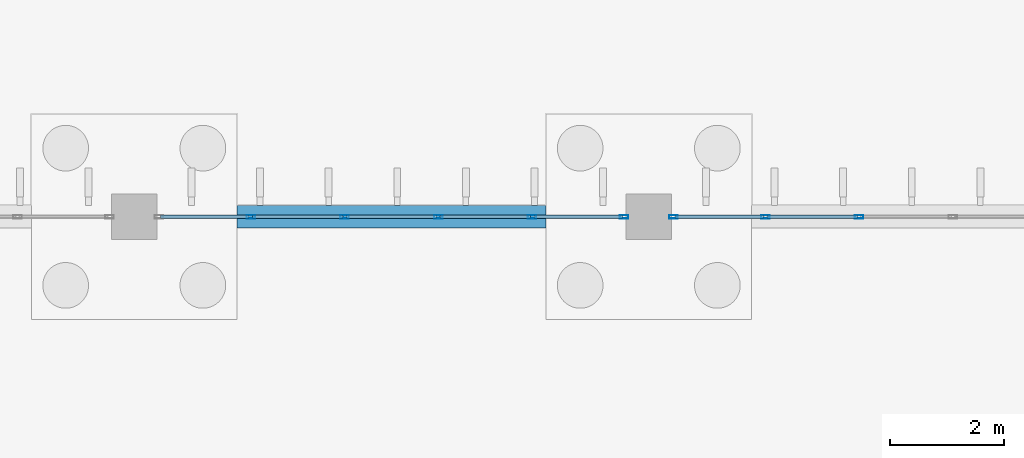
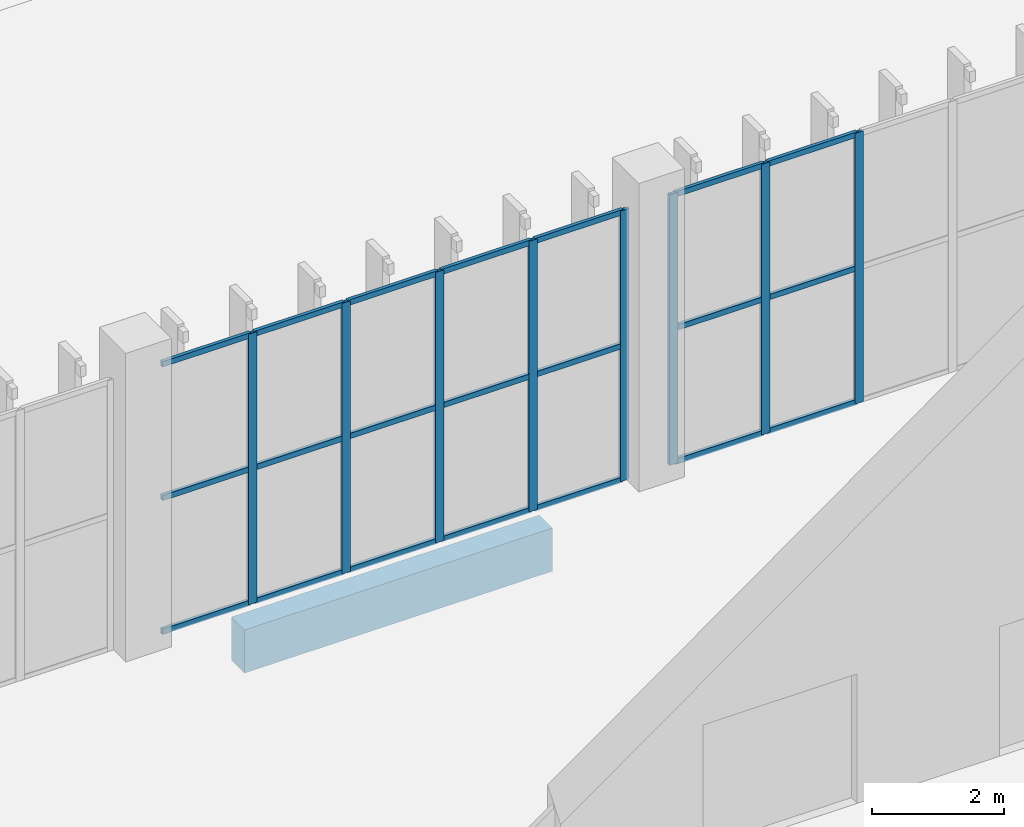
# One storey, part 55 of 198: 29 members, 1 beam, 2 elements without a shape of their own.
"""IFC4 building model written with IfcOpenShell, lengths in metres."""

from ifc_helpers import new_model, si_unit, direction, frame, origin, origin_2d, place, context, subcontext, project, spatial, rectangle, hollow_rectangle, extrude, material, layer, layer_set, material_profile, profile_set, type_object, element, aggregate, save


model = new_model("IFC4")

# Units and contexts
model_context = context("Model", 3, precision=1e-05, world=origin(), true_north=direction((0.0, 1.0)))
body_context = subcontext(model_context, "Body", "Model", "MODEL_VIEW")
ifc_project = project(units=[si_unit("LENGTHUNIT", "METRE"), si_unit("AREAUNIT", "SQUARE_METRE"), si_unit("VOLUMEUNIT", "CUBIC_METRE"), si_unit("PLANEANGLEUNIT", "RADIAN"), si_unit("MASSUNIT", "GRAM", prefix="KILO")], contexts=[model_context])

# Site, building, storey
site_placement = place(None, origin())
site = spatial("IfcSite", under=ifc_project, at=site_placement, CompositionType="ELEMENT")
building_placement = place(site_placement, origin())
building = spatial("IfcBuilding", under=site, at=building_placement, Name="Opaline Strait Convention Centre", CompositionType="ELEMENT")
storey_placement = place(building_placement, origin())
storey = spatial("IfcBuildingStorey", under=building, at=storey_placement, Name="L00", CompositionType="ELEMENT", Elevation=0.0)

# Curtain wall, members
ifc_material_1 = material(Name="Aluminium 6063-T5", Category="aluminium")
ifc_layer = layer(ifc_material_1, 0.199951171875)
ifc_layer_set = layer_set([ifc_layer], Name="Aluminium 6063-T5")
curtain_wall_type = type_object("IfcCurtainWallType", Name="Unitised curtain wall 1640 module", PredefinedType="NOTDEFINED", material=ifc_layer_set)
curtain_wall_1_placement = place(storey_placement, origin())
curtain_wall_1 = element("IfcCurtainWall", 1, at=curtain_wall_1_placement, inside=storey, type_object=curtain_wall_type, Name="Ballroom north curtain wall L00 bay 5", PredefinedType="NOTDEFINED")
ifc_material_2 = material(Name="Aluminium alloy 6063", Category="aluminium")
ifc_material_profile_1 = material_profile(ifc_material_2, hollow_rectangle(XDim=0.06005859375, YDim=0.14990234375, WallThickness=0.00390625, at=origin_2d()), Name="MULLION 60x150x4")
ifc_profile_set_1 = profile_set([ifc_material_profile_1], Name="Aluminium alloy 6063")
member_type_1 = type_object("IfcMemberType", Name="Curtain wall mullion 60 x 150", PredefinedType="MULLION", material=ifc_profile_set_1)
member_1_placement = place(storey_placement, frame((326.0400390625, 72.0, 0.0), z_axis=(0.0, 0.0, 1.0), x_axis=(0.0, 1.0, 0.0)))
member_1 = element("IfcMember", 2, at=member_1_placement, type_object=member_type_1, Name="BG2 mullion 2", PredefinedType="MULLION", context=body_context, shape_type="SweptSolid", body=[
    extrude(hollow_rectangle(XDim=0.06005859375, YDim=0.14990234375, WallThickness=0.00390625, at=origin_2d()), origin(), (0.0, 0.0, 1.0), 5.02001953125),
])
member_2_placement = place(storey_placement, frame((327.679931640625, 72.0, 0.0), z_axis=(0.0, 0.0, 1.0), x_axis=(0.0, 1.0, 0.0)))
member_2 = element("IfcMember", 3, at=member_2_placement, type_object=member_type_1, Name="BG2 mullion 3", PredefinedType="MULLION", context=body_context, shape_type="SweptSolid", body=[
    extrude(hollow_rectangle(XDim=0.06005859375, YDim=0.14990234375, WallThickness=0.00390625, at=origin_2d()), origin(), (0.0, 0.0, 1.0), 5.02001953125),
])
member_3_placement = place(storey_placement, frame((329.320068359375, 72.0, 0.0), z_axis=(0.0, 0.0, 1.0), x_axis=(0.0, 1.0, 0.0)))
member_3 = element("IfcMember", 4, at=member_3_placement, type_object=member_type_1, Name="BG2 mullion 4", PredefinedType="MULLION", context=body_context, shape_type="SweptSolid", body=[
    extrude(hollow_rectangle(XDim=0.06005859375, YDim=0.14990234375, WallThickness=0.00390625, at=origin_2d()), origin(), (0.0, 0.0, 1.0), 5.02001953125),
])
member_4_placement = place(storey_placement, frame((330.9599609375, 72.0, 0.0), z_axis=(0.0, 0.0, 1.0), x_axis=(0.0, 1.0, 0.0)))
member_4 = element("IfcMember", 5, at=member_4_placement, type_object=member_type_1, Name="BG2 mullion 5", PredefinedType="MULLION", context=body_context, shape_type="SweptSolid", body=[
    extrude(hollow_rectangle(XDim=0.06005859375, YDim=0.14990234375, WallThickness=0.00390625, at=origin_2d()), origin(), (0.0, 0.0, 1.0), 5.02001953125),
])
member_5_placement = place(storey_placement, frame((332.570068359375, 72.0, 0.0), z_axis=(0.0, 0.0, 1.0), x_axis=(0.0, 1.0, 0.0)))
member_5 = element("IfcMember", 6, at=member_5_placement, type_object=member_type_1, Name="BG2 mullion 6", PredefinedType="MULLION", context=body_context, shape_type="SweptSolid", body=[
    extrude(hollow_rectangle(XDim=0.06005859375, YDim=0.14990234375, WallThickness=0.00390625, at=origin_2d()), origin(), (0.0, 0.0, 1.0), 5.02001953125),
])

curtain_wall_2_placement = place(storey_placement, origin())
curtain_wall_2 = element("IfcCurtainWall", 7, at=curtain_wall_2_placement, inside=storey, type_object=curtain_wall_type, Name="Ballroom north curtain wall L00 bay 6", PredefinedType="NOTDEFINED")
member_6_placement = place(storey_placement, frame((333.429931640625, 72.0, 0.0), z_axis=(0.0, 0.0, 1.0), x_axis=(0.0, 1.0, 0.0)))
member_6 = element("IfcMember", 8, at=member_6_placement, type_object=member_type_1, Name="BG2 mullion 1", PredefinedType="MULLION", context=body_context, shape_type="SweptSolid", body=[
    extrude(hollow_rectangle(XDim=0.06005859375, YDim=0.14990234375, WallThickness=0.00390625, at=origin_2d()), origin(), (0.0, 0.0, 1.0), 5.02001953125),
])
member_7_placement = place(storey_placement, frame((335.0400390625, 72.0, 0.0), z_axis=(0.0, 0.0, 1.0), x_axis=(0.0, 1.0, 0.0)))
member_7 = element("IfcMember", 9, at=member_7_placement, type_object=member_type_1, Name="BG2 mullion 2", PredefinedType="MULLION", context=body_context, shape_type="SweptSolid", body=[
    extrude(hollow_rectangle(XDim=0.06005859375, YDim=0.14990234375, WallThickness=0.00390625, at=origin_2d()), origin(), (0.0, 0.0, 1.0), 5.02001953125),
])
member_8_placement = place(storey_placement, frame((336.679931640625, 72.0, 0.0), z_axis=(0.0, 0.0, 1.0), x_axis=(0.0, 1.0, 0.0)))
member_8 = element("IfcMember", 10, at=member_8_placement, type_object=member_type_1, Name="BG2 mullion 3", PredefinedType="MULLION", context=body_context, shape_type="SweptSolid", body=[
    extrude(hollow_rectangle(XDim=0.06005859375, YDim=0.14990234375, WallThickness=0.00390625, at=origin_2d()), origin(), (0.0, 0.0, 1.0), 5.02001953125),
])

# Member
ifc_material_profile_2 = material_profile(ifc_material_2, hollow_rectangle(XDim=0.06005859375, YDim=0.10009765625, WallThickness=0.0029296875, at=origin_2d()), Name="TRANSOM 60x100x3")
ifc_profile_set_2 = profile_set([ifc_material_profile_2], Name="Aluminium alloy 6063")
member_type_2 = type_object("IfcMemberType", Name="Curtain wall transom 60 x 100", PredefinedType="USERDEFINED", material=ifc_profile_set_2)
member_9_placement = place(storey_placement, frame((324.4599609375, 72.0, 0.030029296875), z_axis=(1.0, 0.0, 0.0), x_axis=(0.0, 1.0, 0.0)))
member_9 = element("IfcMember", 11, at=member_9_placement, type_object=member_type_2, Name="BG2 transom 1.1", ObjectType="TRANSOM", PredefinedType="USERDEFINED", context=body_context, shape_type="SweptSolid", body=[
    extrude(hollow_rectangle(XDim=0.06005859375, YDim=0.10009765625, WallThickness=0.0029296875, at=origin_2d()), origin(), (0.0, 0.0, 1.0), 1.550048828125),
])

member_10_placement = place(storey_placement, frame((324.4599609375, 72.0, 2.510009765625), z_axis=(1.0, 0.0, 0.0), x_axis=(0.0, 1.0, 0.0)))
member_10 = element("IfcMember", 12, at=member_10_placement, type_object=member_type_2, Name="BG2 transom 1.2", ObjectType="TRANSOM", PredefinedType="USERDEFINED", context=body_context, shape_type="SweptSolid", body=[
    extrude(hollow_rectangle(XDim=0.06005859375, YDim=0.10009765625, WallThickness=0.0029296875, at=origin_2d()), origin(), (0.0, 0.0, 1.0), 1.550048828125),
])

member_11_placement = place(storey_placement, frame((324.4599609375, 72.0, 4.989990234375), z_axis=(1.0, 0.0, 0.0), x_axis=(0.0, 1.0, 0.0)))
member_11 = element("IfcMember", 13, at=member_11_placement, type_object=member_type_2, Name="BG2 transom 1.3", ObjectType="TRANSOM", PredefinedType="USERDEFINED", context=body_context, shape_type="SweptSolid", body=[
    extrude(hollow_rectangle(XDim=0.06005859375, YDim=0.10009765625, WallThickness=0.0029296875, at=origin_2d()), origin(), (0.0, 0.0, 1.0), 1.550048828125),
])

member_12_placement = place(storey_placement, frame((326.06982421875, 72.0, 0.030029296875), z_axis=(1.0, 0.0, 0.0), x_axis=(0.0, 1.0, 0.0)))
member_12 = element("IfcMember", 14, at=member_12_placement, type_object=member_type_2, Name="BG2 transom 2.1", ObjectType="TRANSOM", PredefinedType="USERDEFINED", context=body_context, shape_type="SweptSolid", body=[
    extrude(hollow_rectangle(XDim=0.06005859375, YDim=0.10009765625, WallThickness=0.0029296875, at=origin_2d()), origin(), (0.0, 0.0, 1.0), 1.580078125),
])

member_13_placement = place(storey_placement, frame((326.06982421875, 72.0, 2.510009765625), z_axis=(1.0, 0.0, 0.0), x_axis=(0.0, 1.0, 0.0)))
member_13 = element("IfcMember", 15, at=member_13_placement, type_object=member_type_2, Name="BG2 transom 2.2", ObjectType="TRANSOM", PredefinedType="USERDEFINED", context=body_context, shape_type="SweptSolid", body=[
    extrude(hollow_rectangle(XDim=0.06005859375, YDim=0.10009765625, WallThickness=0.0029296875, at=origin_2d()), origin(), (0.0, 0.0, 1.0), 1.580078125),
])

member_14_placement = place(storey_placement, frame((326.06982421875, 72.0, 4.989990234375), z_axis=(1.0, 0.0, 0.0), x_axis=(0.0, 1.0, 0.0)))
member_14 = element("IfcMember", 16, at=member_14_placement, type_object=member_type_2, Name="BG2 transom 2.3", ObjectType="TRANSOM", PredefinedType="USERDEFINED", context=body_context, shape_type="SweptSolid", body=[
    extrude(hollow_rectangle(XDim=0.06005859375, YDim=0.10009765625, WallThickness=0.0029296875, at=origin_2d()), origin(), (0.0, 0.0, 1.0), 1.580078125),
])

member_15_placement = place(storey_placement, frame((327.7099609375, 72.0, 0.030029296875), z_axis=(1.0, 0.0, 0.0), x_axis=(0.0, 1.0, 0.0)))
member_15 = element("IfcMember", 17, at=member_15_placement, type_object=member_type_2, Name="BG2 transom 3.1", ObjectType="TRANSOM", PredefinedType="USERDEFINED", context=body_context, shape_type="SweptSolid", body=[
    extrude(hollow_rectangle(XDim=0.06005859375, YDim=0.10009765625, WallThickness=0.0029296875, at=origin_2d()), origin(), (0.0, 0.0, 1.0), 1.580078125),
])

member_16_placement = place(storey_placement, frame((327.7099609375, 72.0, 2.510009765625), z_axis=(1.0, 0.0, 0.0), x_axis=(0.0, 1.0, 0.0)))
member_16 = element("IfcMember", 18, at=member_16_placement, type_object=member_type_2, Name="BG2 transom 3.2", ObjectType="TRANSOM", PredefinedType="USERDEFINED", context=body_context, shape_type="SweptSolid", body=[
    extrude(hollow_rectangle(XDim=0.06005859375, YDim=0.10009765625, WallThickness=0.0029296875, at=origin_2d()), origin(), (0.0, 0.0, 1.0), 1.580078125),
])

member_17_placement = place(storey_placement, frame((327.7099609375, 72.0, 4.989990234375), z_axis=(1.0, 0.0, 0.0), x_axis=(0.0, 1.0, 0.0)))
member_17 = element("IfcMember", 19, at=member_17_placement, type_object=member_type_2, Name="BG2 transom 3.3", ObjectType="TRANSOM", PredefinedType="USERDEFINED", context=body_context, shape_type="SweptSolid", body=[
    extrude(hollow_rectangle(XDim=0.06005859375, YDim=0.10009765625, WallThickness=0.0029296875, at=origin_2d()), origin(), (0.0, 0.0, 1.0), 1.580078125),
])

member_18_placement = place(storey_placement, frame((329.35009765625, 72.0, 0.030029296875), z_axis=(1.0, 0.0, 0.0), x_axis=(0.0, 1.0, 0.0)))
member_18 = element("IfcMember", 20, at=member_18_placement, type_object=member_type_2, Name="BG2 transom 4.1", ObjectType="TRANSOM", PredefinedType="USERDEFINED", context=body_context, shape_type="SweptSolid", body=[
    extrude(hollow_rectangle(XDim=0.06005859375, YDim=0.10009765625, WallThickness=0.0029296875, at=origin_2d()), origin(), (0.0, 0.0, 1.0), 1.580078125),
])

member_19_placement = place(storey_placement, frame((329.35009765625, 72.0, 2.510009765625), z_axis=(1.0, 0.0, 0.0), x_axis=(0.0, 1.0, 0.0)))
member_19 = element("IfcMember", 21, at=member_19_placement, type_object=member_type_2, Name="BG2 transom 4.2", ObjectType="TRANSOM", PredefinedType="USERDEFINED", context=body_context, shape_type="SweptSolid", body=[
    extrude(hollow_rectangle(XDim=0.06005859375, YDim=0.10009765625, WallThickness=0.0029296875, at=origin_2d()), origin(), (0.0, 0.0, 1.0), 1.580078125),
])

member_20_placement = place(storey_placement, frame((329.35009765625, 72.0, 4.989990234375), z_axis=(1.0, 0.0, 0.0), x_axis=(0.0, 1.0, 0.0)))
member_20 = element("IfcMember", 22, at=member_20_placement, type_object=member_type_2, Name="BG2 transom 4.3", ObjectType="TRANSOM", PredefinedType="USERDEFINED", context=body_context, shape_type="SweptSolid", body=[
    extrude(hollow_rectangle(XDim=0.06005859375, YDim=0.10009765625, WallThickness=0.0029296875, at=origin_2d()), origin(), (0.0, 0.0, 1.0), 1.580078125),
])

member_21_placement = place(storey_placement, frame((330.989990234375, 72.0, 0.030029296875), z_axis=(1.0, 0.0, 0.0), x_axis=(0.0, 1.0, 0.0)))
member_21 = element("IfcMember", 23, at=member_21_placement, type_object=member_type_2, Name="BG2 transom 5.1", ObjectType="TRANSOM", PredefinedType="USERDEFINED", context=body_context, shape_type="SweptSolid", body=[
    extrude(hollow_rectangle(XDim=0.06005859375, YDim=0.10009765625, WallThickness=0.0029296875, at=origin_2d()), origin(), (0.0, 0.0, 1.0), 1.550048828125),
])

member_22_placement = place(storey_placement, frame((330.989990234375, 72.0, 2.510009765625), z_axis=(1.0, 0.0, 0.0), x_axis=(0.0, 1.0, 0.0)))
member_22 = element("IfcMember", 24, at=member_22_placement, type_object=member_type_2, Name="BG2 transom 5.2", ObjectType="TRANSOM", PredefinedType="USERDEFINED", context=body_context, shape_type="SweptSolid", body=[
    extrude(hollow_rectangle(XDim=0.06005859375, YDim=0.10009765625, WallThickness=0.0029296875, at=origin_2d()), origin(), (0.0, 0.0, 1.0), 1.550048828125),
])

member_23_placement = place(storey_placement, frame((330.989990234375, 72.0, 4.989990234375), z_axis=(1.0, 0.0, 0.0), x_axis=(0.0, 1.0, 0.0)))
member_23 = element("IfcMember", 25, at=member_23_placement, type_object=member_type_2, Name="BG2 transom 5.3", ObjectType="TRANSOM", PredefinedType="USERDEFINED", context=body_context, shape_type="SweptSolid", body=[
    extrude(hollow_rectangle(XDim=0.06005859375, YDim=0.10009765625, WallThickness=0.0029296875, at=origin_2d()), origin(), (0.0, 0.0, 1.0), 1.550048828125),
])

aggregate(curtain_wall_1, [member_1, member_2, member_3, member_4, member_5, member_9, member_10, member_11, member_12, member_13, member_14, member_15, member_16, member_17, member_18, member_19, member_20, member_21, member_22, member_23])

member_24_placement = place(storey_placement, frame((333.4599609375, 72.0, 0.030029296875), z_axis=(1.0, 0.0, 0.0), x_axis=(0.0, 1.0, 0.0)))
member_24 = element("IfcMember", 26, at=member_24_placement, type_object=member_type_2, Name="BG2 transom 1.1", ObjectType="TRANSOM", PredefinedType="USERDEFINED", context=body_context, shape_type="SweptSolid", body=[
    extrude(hollow_rectangle(XDim=0.06005859375, YDim=0.10009765625, WallThickness=0.0029296875, at=origin_2d()), origin(), (0.0, 0.0, 1.0), 1.550048828125),
])

member_25_placement = place(storey_placement, frame((333.4599609375, 72.0, 2.510009765625), z_axis=(1.0, 0.0, 0.0), x_axis=(0.0, 1.0, 0.0)))
member_25 = element("IfcMember", 27, at=member_25_placement, type_object=member_type_2, Name="BG2 transom 1.2", ObjectType="TRANSOM", PredefinedType="USERDEFINED", context=body_context, shape_type="SweptSolid", body=[
    extrude(hollow_rectangle(XDim=0.06005859375, YDim=0.10009765625, WallThickness=0.0029296875, at=origin_2d()), origin(), (0.0, 0.0, 1.0), 1.550048828125),
])

member_26_placement = place(storey_placement, frame((333.4599609375, 72.0, 4.989990234375), z_axis=(1.0, 0.0, 0.0), x_axis=(0.0, 1.0, 0.0)))
member_26 = element("IfcMember", 28, at=member_26_placement, type_object=member_type_2, Name="BG2 transom 1.3", ObjectType="TRANSOM", PredefinedType="USERDEFINED", context=body_context, shape_type="SweptSolid", body=[
    extrude(hollow_rectangle(XDim=0.06005859375, YDim=0.10009765625, WallThickness=0.0029296875, at=origin_2d()), origin(), (0.0, 0.0, 1.0), 1.550048828125),
])

member_27_placement = place(storey_placement, frame((335.06982421875, 72.0, 0.030029296875), z_axis=(1.0, 0.0, 0.0), x_axis=(0.0, 1.0, 0.0)))
member_27 = element("IfcMember", 29, at=member_27_placement, type_object=member_type_2, Name="BG2 transom 2.1", ObjectType="TRANSOM", PredefinedType="USERDEFINED", context=body_context, shape_type="SweptSolid", body=[
    extrude(hollow_rectangle(XDim=0.06005859375, YDim=0.10009765625, WallThickness=0.0029296875, at=origin_2d()), origin(), (0.0, 0.0, 1.0), 1.580078125),
])

member_28_placement = place(storey_placement, frame((335.06982421875, 72.0, 2.510009765625), z_axis=(1.0, 0.0, 0.0), x_axis=(0.0, 1.0, 0.0)))
member_28 = element("IfcMember", 30, at=member_28_placement, type_object=member_type_2, Name="BG2 transom 2.2", ObjectType="TRANSOM", PredefinedType="USERDEFINED", context=body_context, shape_type="SweptSolid", body=[
    extrude(hollow_rectangle(XDim=0.06005859375, YDim=0.10009765625, WallThickness=0.0029296875, at=origin_2d()), origin(), (0.0, 0.0, 1.0), 1.580078125),
])

member_29_placement = place(storey_placement, frame((335.06982421875, 72.0, 4.989990234375), z_axis=(1.0, 0.0, 0.0), x_axis=(0.0, 1.0, 0.0)))
member_29 = element("IfcMember", 31, at=member_29_placement, type_object=member_type_2, Name="BG2 transom 2.3", ObjectType="TRANSOM", PredefinedType="USERDEFINED", context=body_context, shape_type="SweptSolid", body=[
    extrude(hollow_rectangle(XDim=0.06005859375, YDim=0.10009765625, WallThickness=0.0029296875, at=origin_2d()), origin(), (0.0, 0.0, 1.0), 1.580078125),
])

aggregate(curtain_wall_2, [member_6, member_7, member_8, member_24, member_25, member_26, member_27, member_28, member_29])

# Beam
ifc_material_3 = material(Name="Concrete C35", Category="concrete")
ifc_material_profile_3 = material_profile(ifc_material_3, rectangle(XDim=0.39990234375, YDim=0.800048828125, at=origin_2d()), Name="RC 400x800")
ifc_profile_set_3 = profile_set([ifc_material_profile_3], Name="Concrete C35")
beam_type = type_object("IfcBeamType", Name="Ground beam 400x800 C35", PredefinedType="BEAM", material=ifc_profile_set_3)
beam_placement = place(storey_placement, frame((325.800048828125, 72.0, -0.699951171875), z_axis=(1.0, 0.0, 0.0), x_axis=(0.0, 1.0, 0.0)))
element("IfcBeam", 32, at=beam_placement, inside=storey, type_object=beam_type, Name="BG1 ground beam 37/J-38/J", PredefinedType="BEAM", context=body_context, shape_type="SweptSolid", body=[
    extrude(rectangle(XDim=0.39990234375, YDim=0.800048828125, at=origin_2d()), origin(), (0.0, 0.0, 1.0), 5.39990234375),
])

save(model, "model.ifc")
